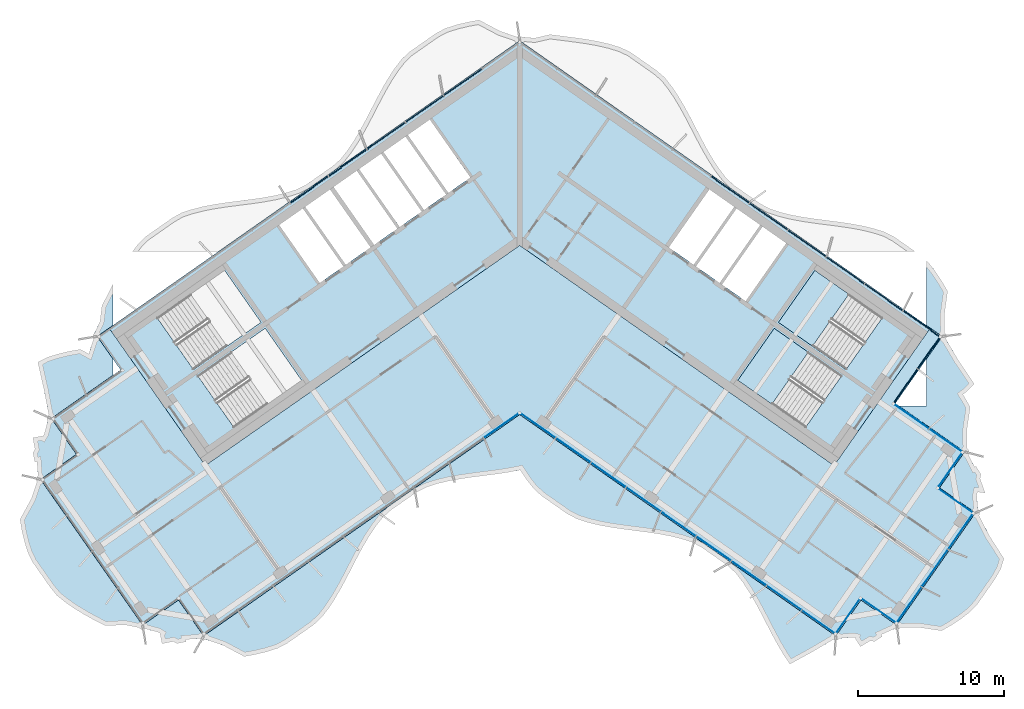
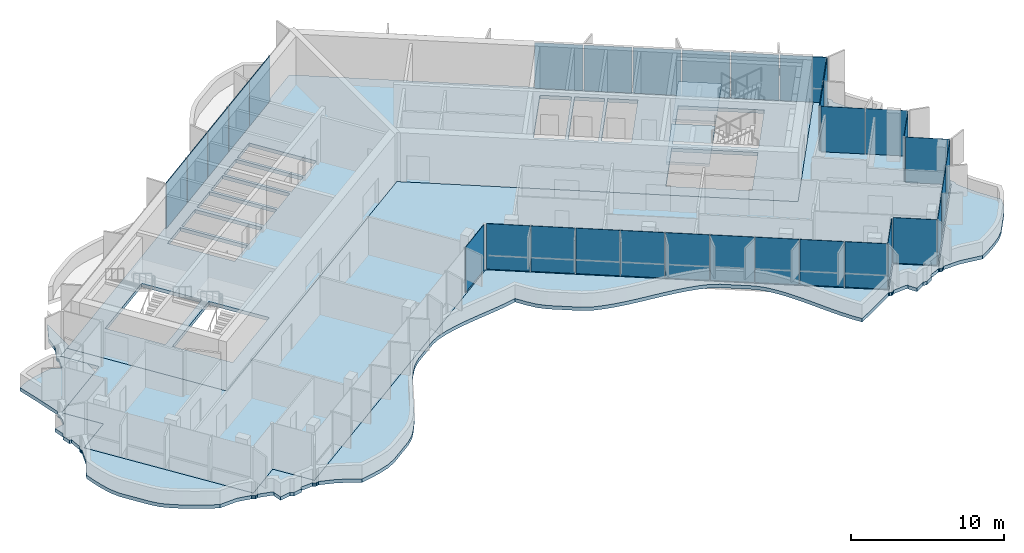
# One storey, part 8 of 18: 32 plates, 5 slabs, 4 elements without a shape of their own.
"""IFC4 building model written with IfcOpenShell, lengths in metres."""

from ifc_helpers import new_model, si_unit, direction, frame, origin, origin_2d, place, context, subcontext, project, spatial, polyline, rectangle, outline, extrude, material, layer, layer_set, type_object, element, aggregate, save


model = new_model("IFC4")

# Units and contexts
model_context = context("Model", 3, precision=1e-05, world=origin(), true_north=direction((0.0, 1.0)))
body_context = subcontext(model_context, "Body", "Model", "MODEL_VIEW")
ifc_project = project(units=[si_unit("LENGTHUNIT", "METRE"), si_unit("AREAUNIT", "SQUARE_METRE"), si_unit("VOLUMEUNIT", "CUBIC_METRE"), si_unit("PLANEANGLEUNIT", "RADIAN"), si_unit("MASSUNIT", "GRAM", prefix="KILO")], contexts=[model_context])

# Site, building, storey
site_placement = place(None, origin())
site = spatial("IfcSite", under=ifc_project, at=site_placement, CompositionType="ELEMENT")
building_placement = place(site_placement, origin())
building = spatial("IfcBuilding", under=site, at=building_placement, Name="Tel Ilan Convention Tower", CompositionType="ELEMENT")
storey_placement = place(building_placement, frame((0.0, 0.0, 252.699951171875)))
storey = spatial("IfcBuildingStorey", under=building, at=storey_placement, Name="L59", CompositionType="ELEMENT", Elevation=252.699951171875)

# Curtain wall, plates
ifc_material_1 = material(Name="Aluminium, bronze anodised", Category="aluminium")
curtain_wall_type_1 = type_object("IfcCurtainWallType", Name="CW2 STICK CURTAIN WALL, SPANDREL PANELS", PredefinedType="NOTDEFINED", material=ifc_material_1)
curtain_wall_1_placement = place(storey_placement, origin())
curtain_wall_1 = element("IfcCurtainWall", 1, at=curtain_wall_1_placement, inside=storey, type_object=curtain_wall_type_1, Name="Curtain wall CW2-46.01", PredefinedType="NOTDEFINED")
ifc_material_2 = material(Name="Aluminium composite panel, bronze anodised", Category="aluminium")
ifc_layer_1 = layer(ifc_material_2, 0.06005859375)
ifc_layer_set_1 = layer_set([ifc_layer_1], Name="CW SPANDREL PANEL 60")
plate_type_1 = type_object("IfcPlateType", Name="CW SPANDREL PANEL 60", PredefinedType="CURTAIN_PANEL", material=ifc_layer_set_1)
plate_1_placement = place(storey_placement, frame((26.45947265625, -10.85400390625, 0.0), z_axis=(0.0, 0.0, 1.0), x_axis=(0.573576436351, 0.819152044289, 0.0)))
plate_1 = element("IfcPlate", 2, at=plate_1_placement, type_object=plate_type_1, Name="Spandrel panel", PredefinedType="CURTAIN_PANEL", context=body_context, shape_type="SweptSolid", body=[
    extrude(rectangle(XDim=2.76904296875, YDim=0.06005859375, at=origin_2d()), origin(), (0.0, 0.0, 1.0), 3.6201171875),
])
plate_2_placement = place(storey_placement, frame((28.042236328125, -8.593505859375, 0.0), z_axis=(0.0, 0.0, 1.0), x_axis=(0.573576436351, 0.819152044289, 0.0)))
plate_2 = element("IfcPlate", 3, at=plate_2_placement, type_object=plate_type_1, Name="Spandrel panel", PredefinedType="CURTAIN_PANEL", context=body_context, shape_type="SweptSolid", body=[
    extrude(rectangle(XDim=2.6298828125, YDim=0.06005859375, at=origin_2d()), origin(), (0.0, 0.0, 1.0), 3.6201171875),
])
plate_3_placement = place(storey_placement, frame((27.5400390625, -6.587646484375, 0.0), z_axis=(0.0, 0.0, 1.0), x_axis=(-0.819152044289, 0.573576436351, 0.0)))
plate_3 = element("IfcPlate", 4, at=plate_3_placement, type_object=plate_type_1, Name="Spandrel panel", PredefinedType="CURTAIN_PANEL", context=body_context, shape_type="SweptSolid", body=[
    extrude(rectangle(XDim=3.0439453125, YDim=0.06005859375, at=origin_2d()), origin(), (0.0, 0.0, 1.0), 3.6201171875),
])
plate_4_placement = place(storey_placement, frame((24.95263671875, -4.77587890625, 0.0), z_axis=(0.0, 0.0, 1.0), x_axis=(-0.819152044289, 0.573576436351, 0.0)))
plate_4 = element("IfcPlate", 5, at=plate_4_placement, type_object=plate_type_1, Name="Spandrel panel", PredefinedType="CURTAIN_PANEL", context=body_context, shape_type="SweptSolid", body=[
    extrude(rectangle(XDim=3.15380859375, YDim=0.06005859375, at=origin_2d()), origin(), (0.0, 0.0, 1.0), 3.6201171875),
])
plate_5_placement = place(storey_placement, frame((22.31982421875, -2.9326171875, 0.0), z_axis=(0.0, 0.0, 1.0), x_axis=(-0.819152044289, 0.573576436351, 0.0)))
plate_5 = element("IfcPlate", 6, at=plate_5_placement, type_object=plate_type_1, Name="Spandrel panel", PredefinedType="CURTAIN_PANEL", context=body_context, shape_type="SweptSolid", body=[
    extrude(rectangle(XDim=3.15380859375, YDim=0.06005859375, at=origin_2d()), origin(), (0.0, 0.0, 1.0), 3.6201171875),
])
plate_6_placement = place(storey_placement, frame((19.687255859375, -1.089111328125, 0.0), z_axis=(0.0, 0.0, 1.0), x_axis=(-0.819152044289, 0.573576436351, 0.0)))
plate_6 = element("IfcPlate", 7, at=plate_6_placement, type_object=plate_type_1, Name="Spandrel panel", PredefinedType="CURTAIN_PANEL", context=body_context, shape_type="SweptSolid", body=[
    extrude(rectangle(XDim=3.15380859375, YDim=0.06005859375, at=origin_2d()), origin(), (0.0, 0.0, 1.0), 3.6201171875),
])
plate_7_placement = place(storey_placement, frame((17.0546875, 0.754150390625, 0.0), z_axis=(0.0, 0.0, 1.0), x_axis=(-0.819152044289, 0.573576436351, 0.0)))
plate_7 = element("IfcPlate", 8, at=plate_7_placement, type_object=plate_type_1, Name="Spandrel panel", PredefinedType="CURTAIN_PANEL", context=body_context, shape_type="SweptSolid", body=[
    extrude(rectangle(XDim=3.15380859375, YDim=0.06005859375, at=origin_2d()), origin(), (0.0, 0.0, 1.0), 3.6201171875),
])
plate_8_placement = place(storey_placement, frame((14.422119140625, 2.59765625, 0.0), z_axis=(0.0, 0.0, 1.0), x_axis=(-0.819152044289, 0.573576436351, 0.0)))
plate_8 = element("IfcPlate", 9, at=plate_8_placement, type_object=plate_type_1, Name="Spandrel panel", PredefinedType="CURTAIN_PANEL", context=body_context, shape_type="SweptSolid", body=[
    extrude(rectangle(XDim=3.15380859375, YDim=0.06005859375, at=origin_2d()), origin(), (0.0, 0.0, 1.0), 3.6201171875),
])
plate_9_placement = place(storey_placement, frame((-3.8916015625, 9.97119140625, 0.0), z_axis=(0.0, 0.0, 1.0), x_axis=(-0.819152044289, -0.573576436351, 0.0)))
plate_9 = element("IfcPlate", 10, at=plate_9_placement, type_object=plate_type_1, Name="Spandrel panel", PredefinedType="CURTAIN_PANEL", context=body_context, shape_type="SweptSolid", body=[
    extrude(rectangle(XDim=3.15380859375, YDim=0.06005859375, at=origin_2d()), origin(), (0.0, 0.0, 1.0), 3.6201171875),
])
plate_10_placement = place(storey_placement, frame((-6.524169921875, 8.127685546875, 0.0), z_axis=(0.0, 0.0, 1.0), x_axis=(-0.819152044289, -0.573576436351, 0.0)))
plate_10 = element("IfcPlate", 11, at=plate_10_placement, type_object=plate_type_1, Name="Spandrel panel", PredefinedType="CURTAIN_PANEL", context=body_context, shape_type="SweptSolid", body=[
    extrude(rectangle(XDim=3.15380859375, YDim=0.06005859375, at=origin_2d()), origin(), (0.0, 0.0, 1.0), 3.6201171875),
])
plate_11_placement = place(storey_placement, frame((-9.15673828125, 6.284423828125, 0.0), z_axis=(0.0, 0.0, 1.0), x_axis=(-0.819152044289, -0.573576436351, 0.0)))
plate_11 = element("IfcPlate", 12, at=plate_11_placement, type_object=plate_type_1, Name="Spandrel panel", PredefinedType="CURTAIN_PANEL", context=body_context, shape_type="SweptSolid", body=[
    extrude(rectangle(XDim=3.15380859375, YDim=0.06005859375, at=origin_2d()), origin(), (0.0, 0.0, 1.0), 3.6201171875),
])
plate_12_placement = place(storey_placement, frame((-11.789306640625, 4.44091796875, 0.0), z_axis=(0.0, 0.0, 1.0), x_axis=(-0.819152044289, -0.573576436351, 0.0)))
plate_12 = element("IfcPlate", 13, at=plate_12_placement, type_object=plate_type_1, Name="Spandrel panel", PredefinedType="CURTAIN_PANEL", context=body_context, shape_type="SweptSolid", body=[
    extrude(rectangle(XDim=3.15380859375, YDim=0.06005859375, at=origin_2d()), origin(), (0.0, 0.0, 1.0), 3.6201171875),
])
plate_13_placement = place(storey_placement, frame((-14.422119140625, 2.59765625, 0.0), z_axis=(0.0, 0.0, 1.0), x_axis=(-0.819152044289, -0.573576436351, 0.0)))
plate_13 = element("IfcPlate", 14, at=plate_13_placement, type_object=plate_type_1, Name="Spandrel panel", PredefinedType="CURTAIN_PANEL", context=body_context, shape_type="SweptSolid", body=[
    extrude(rectangle(XDim=3.15380859375, YDim=0.06005859375, at=origin_2d()), origin(), (0.0, 0.0, 1.0), 3.6201171875),
])
aggregate(curtain_wall_1, [plate_1, plate_2, plate_3, plate_4, plate_5, plate_6, plate_7, plate_8, plate_9, plate_10, plate_11, plate_12, plate_13])

ifc_material_3 = material(Name="Aluminium, bronze anodised", Category="aluminium")
curtain_wall_type_2 = type_object("IfcCurtainWallType", Name="CW5 STICK CURTAIN WALL, UPPER OFFICE LOW-IRON TINTED GLASS", PredefinedType="NOTDEFINED", material=ifc_material_3)
curtain_wall_2_placement = place(storey_placement, origin())
curtain_wall_2 = element("IfcCurtainWall", 15, at=curtain_wall_2_placement, inside=storey, type_object=curtain_wall_type_2, Name="Curtain wall CW5-46.02", PredefinedType="NOTDEFINED")
ifc_material_4 = material(Name="Glass, low-iron bronze tinted, two-ply", Category="glass")
ifc_layer_2 = layer(ifc_material_4, 0.031982421875)
ifc_layer_set_2 = layer_set([ifc_layer_2], Name="CW UPPER GLASS PANEL 32")
plate_type_2 = type_object("IfcPlateType", Name="CW UPPER GLASS PANEL 32", PredefinedType="CURTAIN_PANEL", material=ifc_layer_set_2)
plate_14_placement = place(storey_placement, frame((-1.261474609375, -13.579345703125, 0.0), z_axis=(0.0, 0.0, 1.0), x_axis=(0.819152044289, 0.573576436351, 0.0)))
plate_14 = element("IfcPlate", 16, at=plate_14_placement, type_object=plate_type_2, Name="Glass panel", PredefinedType="CURTAIN_PANEL", context=body_context, shape_type="SweptSolid", body=[
    extrude(rectangle(XDim=2.877685546875, YDim=0.028076171875, at=origin_2d()), origin(), (0.0, 0.0, 1.0), 3.6201171875),
])
plate_15_placement = place(storey_placement, frame((1.27294921875, -13.58740234375, 0.0), z_axis=(0.0, 0.0, 1.0), x_axis=(0.819152044289, -0.573576436351, 0.0)))
plate_15 = element("IfcPlate", 17, at=plate_15_placement, type_object=plate_type_2, Name="Glass panel", PredefinedType="CURTAIN_PANEL", context=body_context, shape_type="SweptSolid", body=[
    extrude(rectangle(XDim=2.849609375, YDim=0.028076171875, at=origin_2d()), origin(), (0.0, 0.0, 1.0), 3.6201171875),
])
plate_16_placement = place(storey_placement, frame((3.668212890625, -15.264404296875, 0.0), z_axis=(0.0, 0.0, 1.0), x_axis=(0.819152044289, -0.573576436351, 0.0)))
plate_16 = element("IfcPlate", 18, at=plate_16_placement, type_object=plate_type_2, Name="Glass panel", PredefinedType="CURTAIN_PANEL", context=body_context, shape_type="SweptSolid", body=[
    extrude(rectangle(XDim=2.878662109375, YDim=0.028076171875, at=origin_2d()), origin(), (0.0, 0.0, 1.0), 3.6201171875),
])
plate_17_placement = place(storey_placement, frame((6.075439453125, -16.949951171875, 0.0), z_axis=(0.0, 0.0, 1.0), x_axis=(0.819152044289, -0.573576436351, 0.0)))
plate_17 = element("IfcPlate", 19, at=plate_17_placement, type_object=plate_type_2, Name="Glass panel", PredefinedType="CURTAIN_PANEL", context=body_context, shape_type="SweptSolid", body=[
    extrude(rectangle(XDim=2.878662109375, YDim=0.028076171875, at=origin_2d()), origin(), (0.0, 0.0, 1.0), 3.6201171875),
])
plate_18_placement = place(storey_placement, frame((8.482666015625, -18.635498046875, 0.0), z_axis=(0.0, 0.0, 1.0), x_axis=(0.819152044289, -0.573576436351, 0.0)))
plate_18 = element("IfcPlate", 20, at=plate_18_placement, type_object=plate_type_2, Name="Glass panel", PredefinedType="CURTAIN_PANEL", context=body_context, shape_type="SweptSolid", body=[
    extrude(rectangle(XDim=2.878662109375, YDim=0.028076171875, at=origin_2d()), origin(), (0.0, 0.0, 1.0), 3.6201171875),
])
plate_19_placement = place(storey_placement, frame((10.8896484375, -20.321044921875, 0.0), z_axis=(0.0, 0.0, 1.0), x_axis=(0.819152044289, -0.573576436351, 0.0)))
plate_19 = element("IfcPlate", 21, at=plate_19_placement, type_object=plate_type_2, Name="Glass panel", PredefinedType="CURTAIN_PANEL", context=body_context, shape_type="SweptSolid", body=[
    extrude(rectangle(XDim=2.878662109375, YDim=0.028076171875, at=origin_2d()), origin(), (0.0, 0.0, 1.0), 3.6201171875),
])
plate_20_placement = place(storey_placement, frame((13.296875, -22.006591796875, 0.0), z_axis=(0.0, 0.0, 1.0), x_axis=(0.819152044289, -0.573576436351, 0.0)))
plate_20 = element("IfcPlate", 22, at=plate_20_placement, type_object=plate_type_2, Name="Glass panel", PredefinedType="CURTAIN_PANEL", context=body_context, shape_type="SweptSolid", body=[
    extrude(rectangle(XDim=2.878662109375, YDim=0.028076171875, at=origin_2d()), origin(), (0.0, 0.0, 1.0), 3.6201171875),
])
plate_21_placement = place(storey_placement, frame((15.7041015625, -23.692138671875, 0.0), z_axis=(0.0, 0.0, 1.0), x_axis=(0.819152044289, -0.573576436351, 0.0)))
plate_21 = element("IfcPlate", 23, at=plate_21_placement, type_object=plate_type_2, Name="Glass panel", PredefinedType="CURTAIN_PANEL", context=body_context, shape_type="SweptSolid", body=[
    extrude(rectangle(XDim=2.878662109375, YDim=0.028076171875, at=origin_2d()), origin(), (0.0, 0.0, 1.0), 3.6201171875),
])
plate_22_placement = place(storey_placement, frame((18.111328125, -25.377685546875, 0.0), z_axis=(0.0, 0.0, 1.0), x_axis=(0.819152044289, -0.573576436351, 0.0)))
plate_22 = element("IfcPlate", 24, at=plate_22_placement, type_object=plate_type_2, Name="Glass panel", PredefinedType="CURTAIN_PANEL", context=body_context, shape_type="SweptSolid", body=[
    extrude(rectangle(XDim=2.878662109375, YDim=0.028076171875, at=origin_2d()), origin(), (0.0, 0.0, 1.0), 3.6201171875),
])
plate_23_placement = place(storey_placement, frame((20.47998046875, -27.036376953125, 0.0), z_axis=(0.0, 0.0, 1.0), x_axis=(0.819152044289, -0.573576436351, 0.0)))
plate_23 = element("IfcPlate", 25, at=plate_23_placement, type_object=plate_type_2, Name="Glass panel", PredefinedType="CURTAIN_PANEL", context=body_context, shape_type="SweptSolid", body=[
    extrude(rectangle(XDim=2.78466796875, YDim=0.028076171875, at=origin_2d()), origin(), (0.0, 0.0, 1.0), 3.6201171875),
])
plate_24_placement = place(storey_placement, frame((22.478515625, -26.651611328125, 0.0), z_axis=(0.0, 0.0, 1.0), x_axis=(0.573576436351, 0.819152044289, 0.0)))
plate_24 = element("IfcPlate", 26, at=plate_24_placement, type_object=plate_type_2, Name="Glass panel", PredefinedType="CURTAIN_PANEL", context=body_context, shape_type="SweptSolid", body=[
    extrude(rectangle(XDim=2.875, YDim=0.028076171875, at=origin_2d()), origin(), (0.0, 0.0, 1.0), 3.6201171875),
])
plate_25_placement = place(storey_placement, frame((24.621337890625, -26.273681640625, 0.0), z_axis=(0.0, 0.0, 1.0), x_axis=(0.819152044289, -0.573576436351, 0.0)))
plate_25 = element("IfcPlate", 27, at=plate_25_placement, type_object=plate_type_2, Name="Glass panel", PredefinedType="CURTAIN_PANEL", context=body_context, shape_type="SweptSolid", body=[
    extrude(rectangle(XDim=2.875, YDim=0.028076171875, at=origin_2d()), origin(), (0.0, 0.0, 1.0), 3.6201171875),
])
plate_26_placement = place(storey_placement, frame((26.6865234375, -25.8720703125, 0.0), z_axis=(0.0, 0.0, 1.0), x_axis=(0.573576436351, 0.819152044289, 0.0)))
plate_26 = element("IfcPlate", 28, at=plate_26_placement, type_object=plate_type_2, Name="Glass panel", PredefinedType="CURTAIN_PANEL", context=body_context, shape_type="SweptSolid", body=[
    extrude(rectangle(XDim=2.979248046875, YDim=0.028076171875, at=origin_2d()), origin(), (0.0, 0.0, 1.0), 3.6201171875),
])
plate_27_placement = place(storey_placement, frame((28.456787109375, -23.343994140625, 0.0), z_axis=(0.0, 0.0, 1.0), x_axis=(0.573576436351, 0.819152044289, 0.0)))
plate_27 = element("IfcPlate", 29, at=plate_27_placement, type_object=plate_type_2, Name="Glass panel", PredefinedType="CURTAIN_PANEL", context=body_context, shape_type="SweptSolid", body=[
    extrude(rectangle(XDim=3.0732421875, YDim=0.028076171875, at=origin_2d()), origin(), (0.0, 0.0, 1.0), 3.6201171875),
])
plate_28_placement = place(storey_placement, frame((30.22705078125, -20.815673828125, 0.0), z_axis=(0.0, 0.0, 1.0), x_axis=(0.573576436351, 0.819152044289, 0.0)))
plate_28 = element("IfcPlate", 30, at=plate_28_placement, type_object=plate_type_2, Name="Glass panel", PredefinedType="CURTAIN_PANEL", context=body_context, shape_type="SweptSolid", body=[
    extrude(rectangle(XDim=2.979248046875, YDim=0.028076171875, at=origin_2d()), origin(), (0.0, 0.0, 1.0), 3.6201171875),
])
plate_29_placement = place(storey_placement, frame((29.898193359375, -18.737548828125, 0.0), z_axis=(0.0, 0.0, 1.0), x_axis=(-0.819152044289, 0.573576436351, 0.0)))
plate_29 = element("IfcPlate", 31, at=plate_29_placement, type_object=plate_type_2, Name="Glass panel", PredefinedType="CURTAIN_PANEL", context=body_context, shape_type="SweptSolid", body=[
    extrude(rectangle(XDim=2.875, YDim=0.028076171875, at=origin_2d()), origin(), (0.0, 0.0, 1.0), 3.6201171875),
])
plate_30_placement = place(storey_placement, frame((29.520263671875, -16.5947265625, 0.0), z_axis=(0.0, 0.0, 1.0), x_axis=(0.573576436351, 0.819152044289, 0.0)))
plate_30 = element("IfcPlate", 32, at=plate_30_placement, type_object=plate_type_2, Name="Glass panel", PredefinedType="CURTAIN_PANEL", context=body_context, shape_type="SweptSolid", body=[
    extrude(rectangle(XDim=2.875, YDim=0.028076171875, at=origin_2d()), origin(), (0.0, 0.0, 1.0), 3.6201171875),
])
plate_31_placement = place(storey_placement, frame((29.21435546875, -14.59619140625, 0.0), z_axis=(0.0, 0.0, 1.0), x_axis=(-0.819152044289, 0.573576436351, 0.0)))
plate_31 = element("IfcPlate", 33, at=plate_31_placement, type_object=plate_type_2, Name="Glass panel", PredefinedType="CURTAIN_PANEL", context=body_context, shape_type="SweptSolid", body=[
    extrude(rectangle(XDim=2.74609375, YDim=0.028076171875, at=origin_2d()), origin(), (0.0, 0.0, 1.0), 3.6201171875),
])
plate_32_placement = place(storey_placement, frame((26.865234375, -12.95166015625, 0.0), z_axis=(0.0, 0.0, 1.0), x_axis=(-0.819152044289, 0.573576436351, 0.0)))
plate_32 = element("IfcPlate", 34, at=plate_32_placement, type_object=plate_type_2, Name="Glass panel", PredefinedType="CURTAIN_PANEL", context=body_context, shape_type="SweptSolid", body=[
    extrude(rectangle(XDim=2.868896484375, YDim=0.028076171875, at=origin_2d()), origin(), (0.0, 0.0, 1.0), 3.6201171875),
])
aggregate(curtain_wall_2, [plate_14, plate_15, plate_16, plate_17, plate_18, plate_19, plate_20, plate_21, plate_22, plate_23, plate_24, plate_25, plate_26, plate_27, plate_28, plate_29, plate_30, plate_31, plate_32])

# Stair, slab
ifc_material_5 = material(Name="Concrete C40/50", Category="concrete")
stair_type = type_object("IfcStairType", Name="Pressurised Exit Stair 22 risers 177 mm", PredefinedType="HALF_TURN_STAIR", material=ifc_material_5)
stair_1_placement = place(storey_placement, origin())
stair_1 = element("IfcStair", 35, at=stair_1_placement, inside=storey, type_object=stair_type, Name="L59 Pressurised Stair S3", PredefinedType="HALF_TURN_STAIR")
ifc_material_6 = material(Name="Concrete C40/50", Category="concrete")
ifc_layer_3 = layer(ifc_material_6, 0.199951171875)
ifc_layer_set_3 = layer_set([ifc_layer_3], Name="Concrete Stair Landing 200 mm C40/50")
slab_type_1 = type_object("IfcSlabType", Name="Concrete Stair Landing 200 mm", PredefinedType="LANDING", material=ifc_layer_set_3)
slab_1_placement = place(storey_placement, frame((0.0, 0.0, 1.75)))
slab_1 = element("IfcSlab", 36, at=slab_1_placement, type_object=slab_type_1, Name="S3 landing 1", PredefinedType="LANDING", context=body_context, shape_type="SweptSolid", body=[
    extrude(outline(polyline([(22.561767578125, -4.566650390625), (20.226318359375, -2.931640625), (17.7314453125, -6.494873046875), (20.066650390625, -8.130126953125), (22.561767578125, -4.566650390625)])), origin(), (0.0, 0.0, 1.0), 0.199951171875),
])
aggregate(stair_1, [slab_1])

stair_2_placement = place(storey_placement, origin())
stair_2 = element("IfcStair", 37, at=stair_2_placement, inside=storey, type_object=stair_type, Name="L59 Pressurised Stair S4", PredefinedType="HALF_TURN_STAIR")
slab_2_placement = place(storey_placement, frame((0.0, 0.0, 1.75)))
slab_2 = element("IfcSlab", 38, at=slab_2_placement, type_object=slab_type_1, Name="S4 landing 1", PredefinedType="LANDING", context=body_context, shape_type="SweptSolid", body=[
    extrude(outline(polyline([(19.77978515625, -8.53955078125), (17.444580078125, -6.904541015625), (14.949462890625, -10.4677734375), (17.28466796875, -12.10302734375), (19.77978515625, -8.53955078125)])), origin(), (0.0, 0.0, 1.0), 0.199951171875),
])
aggregate(stair_2, [slab_2])

# Slabs
ifc_material_7 = material(Name="Concrete C40/50", Category="concrete")
ifc_layer_4 = layer(ifc_material_7, 0.280029296875)
ifc_layer_set_4 = layer_set([ifc_layer_4], Name="Core Floor Slab 280 mm C40/50")
slab_type_2 = type_object("IfcSlabType", Name="Core Floor Slab 280 mm C40/50", PredefinedType="FLOOR", material=ifc_layer_set_4)
slab_3_placement = place(storey_placement, frame((0.0, 0.0, -0.280029296875)))
element("IfcSlab", 39, at=slab_3_placement, inside=storey, type_object=slab_type_2, Name="L59 core floor 1", PredefinedType="FLOOR", context=body_context, shape_type="SweptSolid", body=[
    extrude(outline(polyline([(-28.1396484375, -6.885498046875), (0.0, 12.818115234375), (28.1396484375, -6.885498046875), (21.54345703125, -16.3056640625), (0.0, -1.220703125), (-21.54345703125, -16.3056640625), (-28.1396484375, -6.885498046875)]), holes=[polyline([(-17.444580078125, -6.904541015625), (-22.072021484375, -10.144775390625), (-19.5771484375, -13.7080078125), (-14.949462890625, -10.4677734375), (-17.444580078125, -6.904541015625)]), polyline([(-17.7314453125, -6.494873046875), (-20.226318359375, -2.931640625), (-24.85400390625, -6.171875), (-22.35888671875, -9.735107421875), (-17.7314453125, -6.494873046875)]), polyline([(-14.864990234375, 1.310791015625), (-16.48291015625, 0.177978515625), (-13.701171875, -3.794921875), (-12.083251953125, -2.662109375), (-14.864990234375, 1.310791015625)]), polyline([(-14.701416015625, 1.425537109375), (-11.91943359375, -2.54736328125), (-10.2197265625, -1.357421875), (-13.001708984375, 2.615478515625), (-14.701416015625, 1.425537109375)]), polyline([(-11.168701171875, 3.89892578125), (-12.755859375, 2.78759765625), (-9.97412109375, -1.185302734375), (-8.386962890625, -0.073974609375), (-11.168701171875, 3.89892578125)]), polyline([(-9.499755859375, 5.067626953125), (-11.0048828125, 4.013671875), (-8.222900390625, 0.040771484375), (-6.718017578125, 1.0947265625), (-9.499755859375, 5.067626953125)]), polyline([(-9.3359375, 5.182373046875), (-6.553955078125, 1.20947265625), (-5.048828125, 2.263427734375), (-7.830810546875, 6.236328125), (-9.3359375, 5.182373046875)]), polyline([(17.444580078125, -6.904541015625), (14.949462890625, -10.4677734375), (19.5771484375, -13.7080078125), (22.072021484375, -10.144775390625), (17.444580078125, -6.904541015625)]), polyline([(20.226318359375, -2.931640625), (17.7314453125, -6.494873046875), (22.35888671875, -9.735107421875), (24.85400390625, -6.171875), (20.226318359375, -2.931640625)]), polyline([(15.48291015625, -5.04248046875), (18.2646484375, -1.069580078125), (16.646728515625, 0.063232421875), (13.864990234375, -3.90966796875), (15.48291015625, -5.04248046875)]), polyline([(13.701171875, -3.794921875), (16.48291015625, 0.177978515625), (14.864990234375, 1.310791015625), (12.083251953125, -2.662109375), (13.701171875, -3.794921875)]), polyline([(11.91943359375, -2.54736328125), (14.701416015625, 1.425537109375), (13.001708984375, 2.615478515625), (10.2197265625, -1.357421875), (11.91943359375, -2.54736328125)]), polyline([(-6.16162109375, 7.405029296875), (-7.666748046875, 6.35107421875), (-4.885009765625, 2.378173828125), (-3.3798828125, 3.43212890625), (-6.16162109375, 7.405029296875)])]), origin(), (0.0, 0.0, 1.0), 0.280029296875),
])
ifc_material_8 = material(Name="Concrete C40/50", Category="concrete")
ifc_layer_5 = layer(ifc_material_8, 0.280029296875)
ifc_layer_set_5 = layer_set([ifc_layer_5], Name="Edge Ledge Slab 280 mm C40/50")
slab_type_3 = type_object("IfcSlabType", Name="Edge Ledge Slab 280 mm C40/50", PredefinedType="FLOOR", material=ifc_layer_set_5)
slab_4_placement = place(storey_placement, frame((0.0, 0.0, -0.280029296875)))
element("IfcSlab", 40, at=slab_4_placement, inside=storey, type_object=slab_type_3, Name="L59 edge ledge 1", PredefinedType="FLOOR", context=body_context, shape_type="SweptSolid", body=[
    extrude(outline(polyline([(-22.855224609375, -28.3798828125), (-23.49462890625, -28.5126953125), (-23.728759765625, -28.3701171875), (-24.51416015625, -28.518310546875), (-24.64697265625, -27.87890625), (-24.61669921875, -27.8291015625), (-24.7724609375, -27.73388671875), (-25.6708984375, -27.4970703125), (-25.67431640625, -27.4921875), (-25.728271484375, -27.5283203125), (-25.843017578125, -27.55126953125), (-25.957763671875, -27.5283203125), (-26.05517578125, -27.46337890625), (-26.083984375, -27.420166015625), (-26.088623046875, -27.42333984375), (-27.05419921875, -27.223388671875), (-28.398193359375, -27.288330078125), (-29.12353515625, -26.920166015625), (-29.82373046875, -26.5341796875), (-30.49462890625, -26.1279296875), (-31.125732421875, -25.69384765625), (-31.707763671875, -25.22509765625), (-32.166748046875, -24.670654296875), (-33.401611328125, -22.906982421875), (-33.7158203125, -22.2509765625), (-33.940185546875, -21.531982421875), (-34.1181640625, -20.780517578125), (-34.248779296875, -19.995849609375), (-33.47021484375, -18.574462890625), (-33.08642578125, -17.4296875), (-33.081787109375, -17.426513671875), (-33.117919921875, -17.372314453125), (-33.140625, -17.257568359375), (-33.117919921875, -17.142822265625), (-33.052734375, -17.04541015625), (-33.009521484375, -17.0166015625), (-33.0126953125, -17.011962890625), (-33.085693359375, -16.03955078125), (-33.232666015625, -16.067138671875), (-33.365478515625, -15.427490234375), (-33.22265625, -15.193603515625), (-33.370849609375, -14.408203125), (-32.7314453125, -14.275390625), (-32.681640625, -14.3056640625), (-32.586669921875, -14.14990234375), (-32.349609375, -13.25146484375), (-32.344970703125, -13.248291015625), (-32.381103515625, -13.194091796875), (-32.40380859375, -13.079345703125), (-32.381103515625, -12.964599609375), (-32.31591796875, -12.8671875), (-32.272705078125, -12.83837890625), (-32.27587890625, -12.833740234375), (-32.6083984375, -11.094970703125), (-33.031982421875, -9.225830078125), (-32.382080078125, -8.890380859375), (-31.6572265625, -8.661376953125), (-30.899169921875, -8.47998046875), (-30.110107421875, -8.3427734375), (-29.537353515625, -8.652587890625), (-29.20458984375, -7.631103515625), (-29.199951171875, -7.6279296875), (-29.236083984375, -7.57373046875), (-29.2587890625, -7.458984375), (-29.236083984375, -7.34423828125), (-29.1708984375, -7.246826171875), (-29.127685546875, -7.218017578125), (-29.130859375, -7.21337890625), (-28.772216796875, -6.441650390625), (-28.635009765625, -5.353515625), (-28.252685546875, -4.614990234375), (-27.875, -3.881103515625), (-27.875, -6.7001953125), (-28.958740234375, -7.458984375), (-27.875, -9.007080078125), (-27.875, -10.1181640625), (-32.10400390625, -13.079345703125), (-30.383056640625, -15.536865234375), (-32.840576171875, -17.257568359375), (-25.843017578125, -27.251220703125), (-23.385498046875, -25.530517578125), (-21.664794921875, -27.988037109375), (0.0, -12.818115234375), (21.664794921875, -27.988037109375), (23.385498046875, -25.530517578125), (25.843017578125, -27.251220703125), (31.234619140625, -19.55126953125), (28.777099609375, -17.83056640625), (30.497802734375, -15.373046875), (26.023681640625, -12.239990234375), (27.875, -12.239990234375), (27.875, -9.007080078125), (28.958740234375, -7.458984375), (27.875, -6.7001953125), (27.875, -2.269287109375), (28.0107421875, -2.392578125), (28.48388671875, -3.001220703125), (28.922119140625, -3.6591796875), (29.331298828125, -4.35888671875), (29.109619140625, -5.95947265625), (29.130859375, -7.21337890625), (29.127685546875, -7.218017578125), (29.1708984375, -7.246826171875), (29.236083984375, -7.34423828125), (29.2587890625, -7.458984375), (29.236083984375, -7.57373046875), (29.199951171875, -7.6279296875), (29.20458984375, -7.631103515625), (30.056640625, -9.082275390625), (31.151123046875, -10.703125), (30.66748046875, -11.218994140625), (30.3720703125, -11.4404296875), (30.48095703125, -11.605224609375), (30.879638671875, -12.2998046875), (30.642822265625, -13.902099609375), (30.669921875, -15.127197265625), (30.666748046875, -15.132080078125), (30.7099609375, -15.160888671875), (30.77490234375, -15.25830078125), (30.7978515625, -15.373046875), (30.77490234375, -15.48779296875), (30.739013671875, -15.541748046875), (30.74365234375, -15.545166015625), (31.182861328125, -16.411376953125), (31.2734375, -16.357666015625), (31.616943359375, -16.9130859375), (31.555419921875, -17.218994140625), (31.9052734375, -18.189697265625), (31.373779296875, -18.122802734375), (31.322021484375, -18.380126953125), (31.40673828125, -19.305419921875), (31.4033203125, -19.31005859375), (31.44677734375, -19.339111328125), (31.51171875, -19.436279296875), (31.53466796875, -19.55126953125), (31.51171875, -19.666015625), (31.4755859375, -19.719970703125), (31.480224609375, -19.723388671875), (32.166015625, -21.086181640625), (33.192138671875, -22.687255859375), (32.962646484375, -23.409423828125), (32.6064453125, -24.042724609375), (31.3623046875, -25.819580078125), (30.856201171875, -26.347900390625), (30.25439453125, -26.809326171875), (29.60546875, -27.237548828125), (28.91162109375, -27.634521484375), (27.309326171875, -27.395263671875), (26.088623046875, -27.42333984375), (26.083984375, -27.420166015625), (26.05517578125, -27.46337890625), (25.957763671875, -27.5283203125), (25.843017578125, -27.55126953125), (25.728271484375, -27.5283203125), (25.67431640625, -27.4921875), (25.6708984375, -27.4970703125), (24.7822265625, -27.898193359375), (24.8583984375, -28.02685546875), (24.302978515625, -28.3701171875), (24.0341796875, -28.31640625), (23.3466796875, -28.72412109375), (23.00341796875, -28.168701171875), (23.0146484375, -28.111328125), (22.835693359375, -28.075439453125), (21.910400390625, -28.16015625), (21.906005859375, -28.15673828125), (21.876953125, -28.2001953125), (21.779541015625, -28.26513671875), (21.664794921875, -28.2880859375), (21.550048828125, -28.26513671875), (21.49609375, -28.22900390625), (21.49267578125, -28.233642578125), (19.969482421875, -29.128173828125), (18.5185546875, -29.919677734375), (18.077880859375, -29.268310546875), (17.6669921875, -28.573974609375), (17.27587890625, -27.851806640625), (16.894775390625, -27.115234375), (16.51416015625, -26.377685546875), (16.12451171875, -25.653564453125), (15.71630859375, -24.955810546875), (15.28125, -24.29638671875), (14.811767578125, -23.685791015625), (14.27099609375, -23.177001953125), (12.4658203125, -21.9130859375), (11.811767578125, -21.56591796875), (11.080810546875, -21.329345703125), (10.314697265625, -21.142333984375), (9.521240234375, -20.99462890625), (8.70849609375, -20.87451171875), (7.885986328125, -20.7685546875), (7.06298828125, -20.6630859375), (6.24951171875, -20.5439453125), (5.45458984375, -20.398193359375), (4.68701171875, -20.213623046875), (3.953857421875, -19.979736328125), (3.2939453125, -19.6416015625), (1.488525390625, -18.377197265625), (0.94189453125, -17.877197265625), (0.470458984375, -17.269775390625), (0.03369140625, -16.61279296875), (0.033203125, -16.6123046875), (-0.023681640625, -16.626708984375), (-0.816650390625, -16.775146484375), (-1.62890625, -16.895751953125), (-2.45166015625, -17.001953125), (-3.274658203125, -17.107421875), (-4.08837890625, -17.225830078125), (-4.8837890625, -17.370849609375), (-5.65234375, -17.55419921875), (-6.386474609375, -17.78662109375), (-7.049560546875, -18.12060546875), (-8.85498046875, -19.384521484375), (-9.404541015625, -19.880615234375), (-9.877197265625, -20.486572265625), (-10.314697265625, -21.142333984375), (-10.724853515625, -21.83740234375), (-11.11572265625, -22.56005859375), (-11.49658203125, -23.296875), (-11.877197265625, -24.0341796875), (-12.267333984375, -24.7578125), (-12.67626953125, -25.454833984375), (-13.1123046875, -26.113037109375), (-13.582763671875, -26.721923828125), (-14.12646484375, -27.226318359375), (-15.931884765625, -28.490478515625), (-16.588623046875, -28.833251953125), (-17.32080078125, -29.068603515625), (-18.08740234375, -29.25439453125), (-18.88330078125, -29.3984375), (-20.311279296875, -28.64013671875), (-21.49267578125, -28.233642578125), (-21.49609375, -28.22900390625), (-21.550048828125, -28.26513671875), (-21.664794921875, -28.2880859375), (-21.779541015625, -28.26513671875), (-21.876953125, -28.2001953125), (-21.906005859375, -28.15673828125), (-21.910400390625, -28.16015625), (-22.8828125, -28.233154296875), (-22.855224609375, -28.3798828125)])), origin(), (0.0, 0.0, 1.0), 0.280029296875),
])
ifc_material_9 = material(Name="Concrete C40/50", Category="concrete")
ifc_layer_6 = layer(ifc_material_9, 0.280029296875)
ifc_layer_set_6 = layer_set([ifc_layer_6], Name="Flat Plate Floor Slab 280 mm C40/50")
slab_type_4 = type_object("IfcSlabType", Name="Flat Plate Floor Slab 280 mm C40/50", PredefinedType="FLOOR", material=ifc_layer_set_6)
slab_5_placement = place(storey_placement, frame((0.0, 0.0, -0.280029296875)))
element("IfcSlab", 41, at=slab_5_placement, inside=storey, type_object=slab_type_4, Name="L59 floor slab", PredefinedType="FLOOR", context=body_context, shape_type="SweptSolid", body=[
    extrude(outline(polyline([(21.54345703125, -16.3056640625), (28.1396484375, -6.885498046875), (28.958740234375, -7.458984375), (25.746826171875, -12.04638671875), (30.497802734375, -15.373046875), (28.777099609375, -17.83056640625), (31.234619140625, -19.55126953125), (25.843017578125, -27.251220703125), (23.385498046875, -25.530517578125), (21.664794921875, -27.988037109375), (0.0, -12.818115234375), (-21.664794921875, -27.988037109375), (-23.385498046875, -25.530517578125), (-25.843017578125, -27.251220703125), (-32.840576171875, -17.257568359375), (-30.383056640625, -15.536865234375), (-32.10400390625, -13.079345703125), (-27.352783203125, -9.752685546875), (-28.958740234375, -7.458984375), (-28.1396484375, -6.885498046875), (-21.54345703125, -16.3056640625), (0.0, -1.220703125), (21.54345703125, -16.3056640625)])), origin(), (0.0, 0.0, 1.0), 0.280029296875),
])

save(model, "model.ifc")
